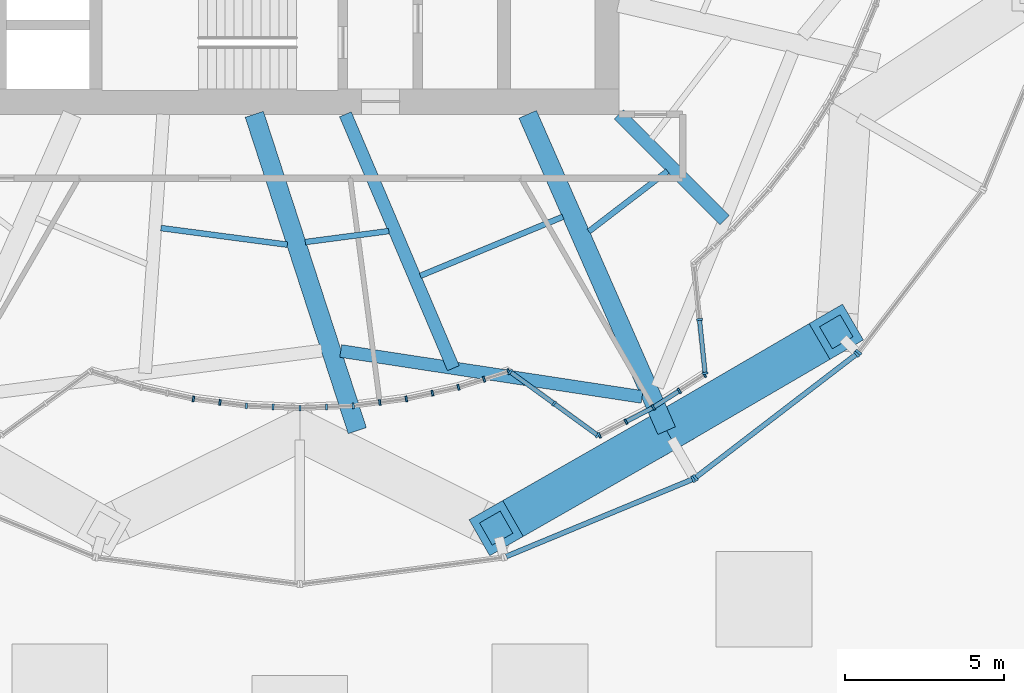
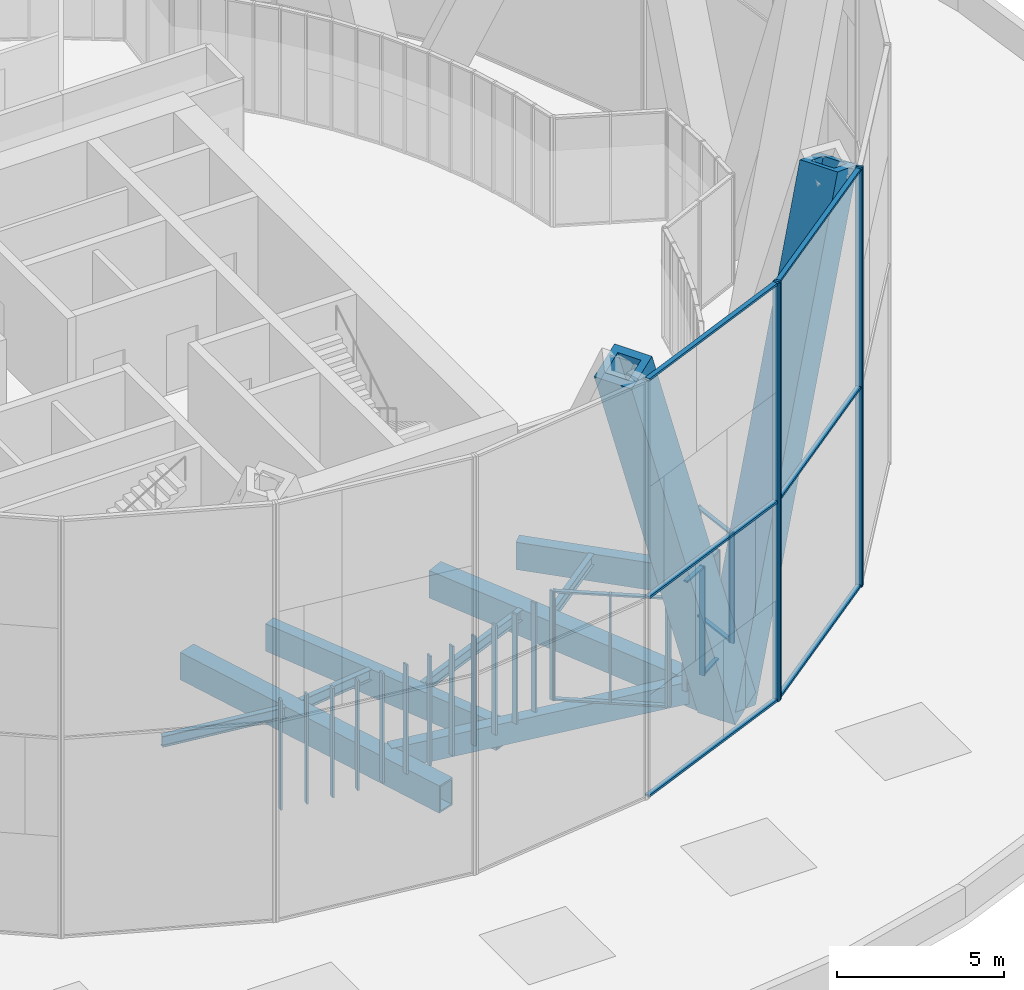
# One storey, part 3 of 27: 45 members, 9 beams, 14 elements without a shape of their own.
"""IFC4 building model written with IfcOpenShell, lengths in metres."""

from ifc_helpers import new_model, si_unit, direction, frame, origin, origin_2d, place, context, subcontext, project, spatial, rectangle, hollow_rectangle, i_section, extrude, material, material_profile, profile_set, type_object, element, aggregate, save


model = new_model("IFC4")

# Units and contexts
model_context = context("Model", 3, precision=1e-05, world=origin(), true_north=direction((0.0, 1.0)))
body_context = subcontext(model_context, "Body", "Model", "MODEL_VIEW")
ifc_project = project(units=[si_unit("LENGTHUNIT", "METRE"), si_unit("AREAUNIT", "SQUARE_METRE"), si_unit("VOLUMEUNIT", "CUBIC_METRE"), si_unit("PLANEANGLEUNIT", "RADIAN"), si_unit("MASSUNIT", "GRAM", prefix="KILO")], contexts=[model_context])

# Site, building, storey
site_placement = place(None, origin())
site = spatial("IfcSite", under=ifc_project, at=site_placement, CompositionType="ELEMENT")
building_placement = place(site_placement, origin())
building = spatial("IfcBuilding", under=site, at=building_placement, Name="Golbaran Civic Tower", CompositionType="ELEMENT")
storey_placement = place(building_placement, frame((0.0, 0.0, 21.0)))
storey = spatial("IfcBuildingStorey", under=building, at=storey_placement, Name="L04", CompositionType="ELEMENT", Elevation=21.0)

# Members
ifc_material_1 = material(Name="Steel S355", Category="steel")
ifc_material_profile_1 = material_profile(ifc_material_1, hollow_rectangle(XDim=1.300048828125, YDim=1.300048828125, WallThickness=0.25, at=origin_2d()), Name="BOX 1300x1300x250")
ifc_profile_set_1 = profile_set([ifc_material_profile_1], Name="Steel S355")
member_type_1 = type_object("IfcMemberType", Name="DIAGRID DIAGONAL BOX 1300x1300x250", PredefinedType="BRACE", material=ifc_profile_set_1)
member_1_placement = place(storey_placement, frame((11.5, -19.918701171875, -0.7099609375), z_axis=(0.310240999573, 0.180832692797, 0.933300626486), x_axis=(-0.503577568182, 0.86395001755, 0.0)))
element("IfcMember", 1, at=member_1_placement, inside=storey, type_object=member_type_1, Name="Diagonal D00-10R L04-L08", PredefinedType="BRACE", context=body_context, shape_type="SweptSolid", body=[
    extrude(hollow_rectangle(XDim=1.300048828125, YDim=1.300048828125, WallThickness=0.25, at=origin_2d()), origin(), (0.0, 0.0, 1.0), 17.1435546875),
])
member_2_placement = place(storey_placement, frame((11.5, -19.918701171875, -0.7099609375), z_axis=(-0.311722757157, -0.178255459424, 0.933302691444), x_axis=(0.496407983578, -0.868089346692, 0.0)))
element("IfcMember", 2, at=member_2_placement, inside=storey, type_object=member_type_1, Name="Diagonal D00-10L L04-L08", PredefinedType="BRACE", context=body_context, shape_type="SweptSolid", body=[
    extrude(hollow_rectangle(XDim=1.300048828125, YDim=1.300048828125, WallThickness=0.25, at=origin_2d()), origin(), (0.0, 0.0, 1.0), 17.143310546875),
])

# Beams
ifc_material_profile_2 = material_profile(ifc_material_1, hollow_rectangle(XDim=0.39990234375, YDim=0.800048828125, WallThickness=0.0400390625, at=origin_2d()), Name="BOX 800x400x40")
ifc_profile_set_2 = profile_set([ifc_material_profile_2], Name="Steel S355")
beam_type_1 = type_object("IfcBeamType", Name="EDGE BEAM BOX 800x400x40", PredefinedType="BEAM", material=ifc_profile_set_2)
beam_1_placement = place(storey_placement, frame((1.28173828125, -17.421630859375, -0.60009765625), z_axis=(0.988578084124, -0.150709560382, 0.0), x_axis=(0.150709560382, 0.988578084124, 0.0)))
element("IfcBeam", 3, at=beam_1_placement, inside=storey, type_object=beam_type_1, Name="Edge beam 270.00 L04", PredefinedType="BEAM", context=body_context, shape_type="SweptSolid", body=[
    extrude(hollow_rectangle(XDim=0.39990234375, YDim=0.800048828125, WallThickness=0.0400390625, at=origin_2d()), origin(), (0.0, 0.0, 1.0), 9.5576171875),
])
ifc_material_profile_3 = material_profile(ifc_material_1, i_section(OverallWidth=0.179931640625, OverallDepth=0.39990234375, WebThickness=0.008544921875, FlangeThickness=0.013427734375, FilletRadius=0.02099609375, at=origin_2d()), Name="IPE 400")
ifc_profile_set_3 = profile_set([ifc_material_profile_3], Name="Steel S355")
beam_type_2 = type_object("IfcBeamType", Name="FLOOR INFILL BEAM IPE 400", PredefinedType="BEAM", material=ifc_profile_set_3)
beam_2_placement = place(storey_placement, frame((-4.35546875, -13.566650390625, -0.39990234375), z_axis=(0.991445770235, -0.130519288548, 0.0), x_axis=(0.130519288548, 0.991445770235, 0.0)))
element("IfcBeam", 4, at=beam_2_placement, inside=storey, type_object=beam_type_2, Name="Infill beam 262.50 L04", PredefinedType="BEAM", context=body_context, shape_type="SweptSolid", body=[
    extrude(i_section(OverallWidth=0.179931640625, OverallDepth=0.39990234375, WebThickness=0.008544921875, FlangeThickness=0.013427734375, FilletRadius=0.02099609375, at=origin_2d()), origin(), (0.0, 0.0, 1.0), 3.997314453125),
])
beam_3_placement = place(storey_placement, frame((0.169921875, -14.006103515625, -0.39990234375), z_axis=(0.991450835379, 0.130480807117, 0.0), x_axis=(-0.130480807117, 0.991450835379, 0.0)))
element("IfcBeam", 5, at=beam_3_placement, inside=storey, type_object=beam_type_2, Name="Infill beam 277.50 L04", PredefinedType="BEAM", context=body_context, shape_type="SweptSolid", body=[
    extrude(i_section(OverallWidth=0.179931640625, OverallDepth=0.39990234375, WebThickness=0.008544921875, FlangeThickness=0.013427734375, FilletRadius=0.02099609375, at=origin_2d()), origin(), (0.0, 0.0, 1.0), 2.64208984375),
])
beam_4_placement = place(storey_placement, frame((3.777099609375, -15.064453125, -0.39990234375), z_axis=(0.923877877031, 0.382687429024, 0.0), x_axis=(-0.382687429024, 0.923877877031, 0.0)))
element("IfcBeam", 6, at=beam_4_placement, inside=storey, type_object=beam_type_2, Name="Infill beam 292.50 L04", PredefinedType="BEAM", context=body_context, shape_type="SweptSolid", body=[
    extrude(i_section(OverallWidth=0.179931640625, OverallDepth=0.39990234375, WebThickness=0.008544921875, FlangeThickness=0.013427734375, FilletRadius=0.02099609375, at=origin_2d()), origin(), (0.0, 0.0, 1.0), 4.839599609375),
])
beam_5_placement = place(storey_placement, frame((9.06201171875, -13.672607421875, -0.39990234375), z_axis=(0.7933508078, 0.608764729401, 0.0), x_axis=(-0.608764729401, 0.7933508078, 0.0)))
element("IfcBeam", 7, at=beam_5_placement, inside=storey, type_object=beam_type_2, Name="Infill beam 307.50 L04", PredefinedType="BEAM", context=body_context, shape_type="SweptSolid", body=[
    extrude(i_section(OverallWidth=0.179931640625, OverallDepth=0.39990234375, WebThickness=0.008544921875, FlangeThickness=0.013427734375, FilletRadius=0.02099609375, at=origin_2d()), origin(), (0.0, 0.0, 1.0), 3.10693359375),
])

# Curtain wall, member
ifc_material_2 = material(Name="Aluminium and glass", Category="aluminium")
curtain_wall_type_1 = type_object("IfcCurtainWallType", Name="INNER SKIN CURTAIN WALL", PredefinedType="NOTDEFINED", material=ifc_material_2)
curtain_wall_1_placement = place(storey_placement, origin())
curtain_wall_1 = element("IfcCurtainWall", 8, at=curtain_wall_1_placement, inside=storey, type_object=curtain_wall_type_1, Name="Inner skin L04 facet 52 CW1", ObjectType="INNER SKIN", PredefinedType="USERDEFINED")
ifc_material_3 = material(Name="Aluminium", Category="aluminium")
ifc_material_profile_4 = material_profile(ifc_material_3, rectangle(XDim=0.179931640625, YDim=0.06494140625, at=origin_2d()), Name="INNER SKIN CURTAIN WALL MULLION")
ifc_profile_set_4 = profile_set([ifc_material_profile_4], Name="Aluminium")
member_type_2 = type_object("IfcMemberType", Name="INNER SKIN CURTAIN WALL MULLION", PredefinedType="MULLION", material=ifc_profile_set_4)
member_3_placement = place(storey_placement, frame((-3.336669921875, -18.923095703125, 0.0), z_axis=(0.0, 0.0, 1.0), x_axis=(0.173648177684, 0.984807753009, 0.0)))
member_3 = element("IfcMember", 9, at=member_3_placement, type_object=member_type_2, Name="CW1 mullion 3", PredefinedType="MULLION", context=body_context, shape_type="SweptSolid", body=[
    extrude(rectangle(XDim=0.179931640625, YDim=0.06494140625, at=origin_2d()), origin(), (0.0, 0.0, 1.0), 4.0),
])
aggregate(curtain_wall_1, [member_3])

# Curtain wall, members
curtain_wall_2_placement = place(storey_placement, origin())
curtain_wall_2 = element("IfcCurtainWall", 10, at=curtain_wall_2_placement, inside=storey, type_object=curtain_wall_type_1, Name="Inner skin L04 facet 53 CW1", ObjectType="INNER SKIN", PredefinedType="USERDEFINED")
member_4_placement = place(storey_placement, frame((-2.505615234375, -19.032470703125, 0.0), z_axis=(0.0, 0.0, 1.0), x_axis=(0.130526192393, 0.991444861351, 0.0)))
member_4 = element("IfcMember", 11, at=member_4_placement, type_object=member_type_2, Name="CW1 mullion 2", PredefinedType="MULLION", context=body_context, shape_type="SweptSolid", body=[
    extrude(rectangle(XDim=0.179931640625, YDim=0.06494140625, at=origin_2d()), origin(), (0.0, 0.0, 1.0), 4.0),
])
member_5_placement = place(storey_placement, frame((-1.6748046875, -19.141845703125, 0.0), z_axis=(0.0, 0.0, 1.0), x_axis=(0.087155742782, 0.996194698089, 0.0)))
member_5 = element("IfcMember", 12, at=member_5_placement, type_object=member_type_2, Name="CW1 mullion 3", PredefinedType="MULLION", context=body_context, shape_type="SweptSolid", body=[
    extrude(rectangle(XDim=0.179931640625, YDim=0.06494140625, at=origin_2d()), origin(), (0.0, 0.0, 1.0), 4.0),
])
aggregate(curtain_wall_2, [member_4, member_5])

curtain_wall_3_placement = place(storey_placement, origin())
curtain_wall_3 = element("IfcCurtainWall", 13, at=curtain_wall_3_placement, inside=storey, type_object=curtain_wall_type_1, Name="Inner skin L04 facet 54 CW1", ObjectType="INNER SKIN", PredefinedType="USERDEFINED")
member_6_placement = place(storey_placement, frame((-0.83740234375, -19.178466796875, 0.0), z_axis=(0.0, 0.0, 1.0), x_axis=(0.043619387261, 0.999048221586, 0.0)))
member_6 = element("IfcMember", 14, at=member_6_placement, type_object=member_type_2, Name="CW1 mullion 2", PredefinedType="MULLION", context=body_context, shape_type="SweptSolid", body=[
    extrude(rectangle(XDim=0.179931640625, YDim=0.06494140625, at=origin_2d()), origin(), (0.0, 0.0, 1.0), 4.0),
])
member_7_placement = place(storey_placement, frame((0.0, -19.215087890625, 0.0), z_axis=(0.0, 0.0, 1.0), x_axis=(-5.2e-11, 1.0, 0.0)))
member_7 = element("IfcMember", 15, at=member_7_placement, type_object=member_type_2, Name="CW1 mullion 3", PredefinedType="MULLION", context=body_context, shape_type="SweptSolid", body=[
    extrude(rectangle(XDim=0.179931640625, YDim=0.06494140625, at=origin_2d()), origin(), (0.0, 0.0, 1.0), 4.0),
])
aggregate(curtain_wall_3, [member_6, member_7])

curtain_wall_4_placement = place(storey_placement, origin())
curtain_wall_4 = element("IfcCurtainWall", 16, at=curtain_wall_4_placement, inside=storey, type_object=curtain_wall_type_1, Name="Inner skin L04 facet 55 CW1", ObjectType="INNER SKIN", PredefinedType="USERDEFINED")
member_8_placement = place(storey_placement, frame((0.83740234375, -19.178466796875, 0.0), z_axis=(0.0, 0.0, 1.0), x_axis=(-0.043619387261, 0.999048221586, 0.0)))
member_8 = element("IfcMember", 17, at=member_8_placement, type_object=member_type_2, Name="CW1 mullion 2", PredefinedType="MULLION", context=body_context, shape_type="SweptSolid", body=[
    extrude(rectangle(XDim=0.179931640625, YDim=0.06494140625, at=origin_2d()), origin(), (0.0, 0.0, 1.0), 4.0),
])
member_9_placement = place(storey_placement, frame((1.6748046875, -19.141845703125, 0.0), z_axis=(0.0, 0.0, 1.0), x_axis=(-0.087155742748, 0.996194698092, 0.0)))
member_9 = element("IfcMember", 18, at=member_9_placement, type_object=member_type_2, Name="CW1 mullion 3", PredefinedType="MULLION", context=body_context, shape_type="SweptSolid", body=[
    extrude(rectangle(XDim=0.179931640625, YDim=0.06494140625, at=origin_2d()), origin(), (0.0, 0.0, 1.0), 4.0),
])
aggregate(curtain_wall_4, [member_8, member_9])

curtain_wall_5_placement = place(storey_placement, origin())
curtain_wall_5 = element("IfcCurtainWall", 19, at=curtain_wall_5_placement, inside=storey, type_object=curtain_wall_type_1, Name="Inner skin L04 facet 56 CW1", ObjectType="INNER SKIN", PredefinedType="USERDEFINED")
member_10_placement = place(storey_placement, frame((2.505615234375, -19.032470703125, 0.0), z_axis=(0.0, 0.0, 1.0), x_axis=(-0.130526192393, 0.991444861351, 0.0)))
member_10 = element("IfcMember", 20, at=member_10_placement, type_object=member_type_2, Name="CW1 mullion 2", PredefinedType="MULLION", context=body_context, shape_type="SweptSolid", body=[
    extrude(rectangle(XDim=0.179931640625, YDim=0.06494140625, at=origin_2d()), origin(), (0.0, 0.0, 1.0), 4.0),
])
member_11_placement = place(storey_placement, frame((3.336669921875, -18.923095703125, 0.0), z_axis=(0.0, 0.0, 1.0), x_axis=(-0.173648177718, 0.984807753003, 0.0)))
member_11 = element("IfcMember", 21, at=member_11_placement, type_object=member_type_2, Name="CW1 mullion 3", PredefinedType="MULLION", context=body_context, shape_type="SweptSolid", body=[
    extrude(rectangle(XDim=0.179931640625, YDim=0.06494140625, at=origin_2d()), origin(), (0.0, 0.0, 1.0), 4.0),
])
aggregate(curtain_wall_5, [member_10, member_11])

curtain_wall_6_placement = place(storey_placement, origin())
curtain_wall_6 = element("IfcCurtainWall", 22, at=curtain_wall_6_placement, inside=storey, type_object=curtain_wall_type_1, Name="Inner skin L04 facet 57 CW1", ObjectType="INNER SKIN", PredefinedType="USERDEFINED")
member_12_placement = place(storey_placement, frame((4.155029296875, -18.74169921875, 0.0), z_axis=(0.0, 0.0, 1.0), x_axis=(-0.216439613921, 0.976296007124, 0.0)))
member_12 = element("IfcMember", 23, at=member_12_placement, type_object=member_type_2, Name="CW1 mullion 2", PredefinedType="MULLION", context=body_context, shape_type="SweptSolid", body=[
    extrude(rectangle(XDim=0.179931640625, YDim=0.06494140625, at=origin_2d()), origin(), (0.0, 0.0, 1.0), 4.0),
])
member_13_placement = place(storey_placement, frame((4.97314453125, -18.560302734375, 0.0), z_axis=(0.0, 0.0, 1.0), x_axis=(-0.258819045086, 0.965925826294, 0.0)))
member_13 = element("IfcMember", 24, at=member_13_placement, type_object=member_type_2, Name="CW1 mullion 3", PredefinedType="MULLION", context=body_context, shape_type="SweptSolid", body=[
    extrude(rectangle(XDim=0.179931640625, YDim=0.06494140625, at=origin_2d()), origin(), (0.0, 0.0, 1.0), 4.0),
])
aggregate(curtain_wall_6, [member_12, member_13])

curtain_wall_7_placement = place(storey_placement, origin())
curtain_wall_7 = element("IfcCurtainWall", 25, at=curtain_wall_7_placement, inside=storey, type_object=curtain_wall_type_1, Name="Inner skin L04 facet 58 CW1", ObjectType="INNER SKIN", PredefinedType="USERDEFINED")
member_14_placement = place(storey_placement, frame((5.7724609375, -18.308349609375, 0.0), z_axis=(0.0, 0.0, 1.0), x_axis=(-0.300705799704, 0.953716950685, 0.0)))
member_14 = element("IfcMember", 26, at=member_14_placement, type_object=member_type_2, Name="CW1 mullion 2", PredefinedType="MULLION", context=body_context, shape_type="SweptSolid", body=[
    extrude(rectangle(XDim=0.179931640625, YDim=0.06494140625, at=origin_2d()), origin(), (0.0, 0.0, 1.0), 4.0),
])
member_15_placement = place(storey_placement, frame((6.541015625, -18.06591796875, 0.0), z_axis=(0.0, 0.0, 1.0), x_axis=(-0.300705799704, 0.953716950685, 0.0)))
member_15 = element("IfcMember", 27, at=member_15_placement, type_object=member_type_2, Name="CW1 mullion 3", PredefinedType="MULLION", context=body_context, shape_type="SweptSolid", body=[
    extrude(rectangle(XDim=0.179931640625, YDim=0.06494140625, at=origin_2d()), origin(), (0.0, 0.0, 1.0), 4.0),
])
aggregate(curtain_wall_7, [member_14, member_15])

curtain_wall_8_placement = place(storey_placement, origin())
curtain_wall_8 = element("IfcCurtainWall", 28, at=curtain_wall_8_placement, inside=storey, type_object=curtain_wall_type_1, Name="Inner skin L04 facet 59 CW1", ObjectType="INNER SKIN", PredefinedType="USERDEFINED")
member_16_placement = place(storey_placement, frame((6.59814453125, -18.0751953125, 0.0), z_axis=(0.0, 0.0, 1.0), x_axis=(0.587431163679, 0.809274136458, 0.0)))
member_16 = element("IfcMember", 29, at=member_16_placement, type_object=member_type_2, Name="CW1 mullion 1", PredefinedType="MULLION", context=body_context, shape_type="SweptSolid", body=[
    extrude(rectangle(XDim=0.179931640625, YDim=0.06494140625, at=origin_2d()), origin(), (0.0, 0.0, 1.0), 4.0),
])
member_17_placement = place(storey_placement, frame((7.968505859375, -19.070068359375, 0.0), z_axis=(0.0, 0.0, 1.0), x_axis=(0.587431163679, 0.809274136458, 0.0)))
member_17 = element("IfcMember", 30, at=member_17_placement, type_object=member_type_2, Name="CW1 mullion 2", PredefinedType="MULLION", context=body_context, shape_type="SweptSolid", body=[
    extrude(rectangle(XDim=0.179931640625, YDim=0.06494140625, at=origin_2d()), origin(), (0.0, 0.0, 1.0), 4.0),
])
member_18_placement = place(storey_placement, frame((9.3388671875, -20.064697265625, 0.0), z_axis=(0.0, 0.0, 1.0), x_axis=(0.587431163679, 0.809274136458, 0.0)))
member_18 = element("IfcMember", 31, at=member_18_placement, type_object=member_type_2, Name="CW1 mullion 3", PredefinedType="MULLION", context=body_context, shape_type="SweptSolid", body=[
    extrude(rectangle(XDim=0.179931640625, YDim=0.06494140625, at=origin_2d()), origin(), (0.0, 0.0, 1.0), 4.0),
])

curtain_wall_9_placement = place(storey_placement, origin())
curtain_wall_9 = element("IfcCurtainWall", 32, at=curtain_wall_9_placement, inside=storey, type_object=curtain_wall_type_1, Name="Inner skin L04 facet 60 CW1", ObjectType="INNER SKIN", PredefinedType="USERDEFINED")
member_19_placement = place(storey_placement, frame((9.39404296875, -20.06884765625, 0.0), z_axis=(0.0, 0.0, 1.0), x_axis=(-0.461748613251, 0.88701083317, 0.0)))
member_19 = element("IfcMember", 33, at=member_19_placement, type_object=member_type_2, Name="CW1 mullion 1", PredefinedType="MULLION", context=body_context, shape_type="SweptSolid", body=[
    extrude(rectangle(XDim=0.179931640625, YDim=0.06494140625, at=origin_2d()), origin(), (0.0, 0.0, 1.0), 4.0),
])
member_20_placement = place(storey_placement, frame((10.22265625, -19.637451171875, 0.0), z_axis=(0.0, 0.0, 1.0), x_axis=(-0.461748613251, 0.88701083317, 0.0)))
member_20 = element("IfcMember", 34, at=member_20_placement, type_object=member_type_2, Name="CW1 mullion 2", PredefinedType="MULLION", context=body_context, shape_type="SweptSolid", body=[
    extrude(rectangle(XDim=0.179931640625, YDim=0.06494140625, at=origin_2d()), origin(), (0.0, 0.0, 1.0), 4.0),
])
member_21_placement = place(storey_placement, frame((11.080078125, -19.191162109375, 0.0), z_axis=(0.0, 0.0, 1.0), x_axis=(-0.50000000003, 0.866025403767, 0.0)))
member_21 = element("IfcMember", 35, at=member_21_placement, type_object=member_type_2, Name="CW1 mullion 3", PredefinedType="MULLION", context=body_context, shape_type="SweptSolid", body=[
    extrude(rectangle(XDim=0.179931640625, YDim=0.06494140625, at=origin_2d()), origin(), (0.0, 0.0, 1.0), 4.0),
])

curtain_wall_10_placement = place(storey_placement, origin())
curtain_wall_10 = element("IfcCurtainWall", 36, at=curtain_wall_10_placement, inside=storey, type_object=curtain_wall_type_1, Name="Inner skin L04 facet 61 CW1", ObjectType="INNER SKIN", PredefinedType="USERDEFINED")
member_22_placement = place(storey_placement, frame((11.895263671875, -18.671875, 0.0), z_axis=(0.0, 0.0, 1.0), x_axis=(-0.53729960845, 0.843391445747, 0.0)))
member_22 = element("IfcMember", 37, at=member_22_placement, type_object=member_type_2, Name="CW1 mullion 2", PredefinedType="MULLION", context=body_context, shape_type="SweptSolid", body=[
    extrude(rectangle(XDim=0.179931640625, YDim=0.06494140625, at=origin_2d()), origin(), (0.0, 0.0, 1.0), 4.0),
])
member_23_placement = place(storey_placement, frame((12.68310546875, -18.169921875, 0.0), z_axis=(0.0, 0.0, 1.0), x_axis=(-0.53729960845, 0.843391445747, 0.0)))
member_23 = element("IfcMember", 38, at=member_23_placement, type_object=member_type_2, Name="CW1 mullion 3", PredefinedType="MULLION", context=body_context, shape_type="SweptSolid", body=[
    extrude(rectangle(XDim=0.179931640625, YDim=0.06494140625, at=origin_2d()), origin(), (0.0, 0.0, 1.0), 4.0),
])

curtain_wall_11_placement = place(storey_placement, origin())
curtain_wall_11 = element("IfcCurtainWall", 39, at=curtain_wall_11_placement, inside=storey, type_object=curtain_wall_type_1, Name="Inner skin L04 facet 62 CW1", ObjectType="INNER SKIN", PredefinedType="USERDEFINED")
member_24_placement = place(storey_placement, frame((12.70703125, -18.1201171875, 0.0), z_axis=(0.0, 0.0, 1.0), x_axis=(-0.994567542635, -0.104093242509, 0.0)))
member_24 = element("IfcMember", 40, at=member_24_placement, type_object=member_type_2, Name="CW1 mullion 1", PredefinedType="MULLION", context=body_context, shape_type="SweptSolid", body=[
    extrude(rectangle(XDim=0.179931640625, YDim=0.06494140625, at=origin_2d()), origin(), (0.0, 0.0, 1.0), 4.0),
])
member_25_placement = place(storey_placement, frame((12.53076171875, -16.43603515625, 0.0), z_axis=(0.0, 0.0, 1.0), x_axis=(-0.994567542635, -0.104093242509, 0.0)))
member_25 = element("IfcMember", 41, at=member_25_placement, type_object=member_type_2, Name="CW1 mullion 2", PredefinedType="MULLION", context=body_context, shape_type="SweptSolid", body=[
    extrude(rectangle(XDim=0.179931640625, YDim=0.06494140625, at=origin_2d()), origin(), (0.0, 0.0, 1.0), 4.0),
])

# Member
ifc_material_profile_5 = material_profile(ifc_material_3, rectangle(XDim=0.139892578125, YDim=0.06494140625, at=origin_2d()), Name="INNER SKIN CURTAIN WALL TRANSOM")
ifc_profile_set_5 = profile_set([ifc_material_profile_5], Name="Aluminium")
member_type_3 = type_object("IfcMemberType", Name="INNER SKIN CURTAIN WALL TRANSOM", PredefinedType="USERDEFINED", material=ifc_profile_set_5)
member_26_placement = place(storey_placement, frame((6.62451171875, -18.094482421875, 0.032470703125), z_axis=(0.809364550476, -0.587306584701, 0.0), x_axis=(0.587306584701, 0.809364550476, 0.0)))
member_26 = element("IfcMember", 42, at=member_26_placement, type_object=member_type_3, Name="CW1 transom 1.1", ObjectType="TRANSOM", PredefinedType="USERDEFINED", context=body_context, shape_type="SweptSolid", body=[
    extrude(rectangle(XDim=0.139892578125, YDim=0.06494140625, at=origin_2d()), origin(), (0.0, 0.0, 1.0), 1.628173828125),
])

member_27_placement = place(storey_placement, frame((6.62451171875, -18.094482421875, 3.967529296875), z_axis=(0.809364550476, -0.587306584701, 0.0), x_axis=(0.587306584701, 0.809364550476, 0.0)))
member_27 = element("IfcMember", 43, at=member_27_placement, type_object=member_type_3, Name="CW1 transom 1.2", ObjectType="TRANSOM", PredefinedType="USERDEFINED", context=body_context, shape_type="SweptSolid", body=[
    extrude(rectangle(XDim=0.139892578125, YDim=0.06494140625, at=origin_2d()), origin(), (0.0, 0.0, 1.0), 1.628173828125),
])

member_28_placement = place(storey_placement, frame((7.994873046875, -19.089111328125, 0.032470703125), z_axis=(0.809241538487, -0.58747606963, 0.0), x_axis=(0.58747606963, 0.809241538487, 0.0)))
member_28 = element("IfcMember", 44, at=member_28_placement, type_object=member_type_3, Name="CW1 transom 2.1", ObjectType="TRANSOM", PredefinedType="USERDEFINED", context=body_context, shape_type="SweptSolid", body=[
    extrude(rectangle(XDim=0.139892578125, YDim=0.06494140625, at=origin_2d()), origin(), (0.0, 0.0, 1.0), 1.628173828125),
])

member_29_placement = place(storey_placement, frame((7.994873046875, -19.089111328125, 3.967529296875), z_axis=(0.809241538487, -0.58747606963, 0.0), x_axis=(0.58747606963, 0.809241538487, 0.0)))
member_29 = element("IfcMember", 45, at=member_29_placement, type_object=member_type_3, Name="CW1 transom 2.2", ObjectType="TRANSOM", PredefinedType="USERDEFINED", context=body_context, shape_type="SweptSolid", body=[
    extrude(rectangle(XDim=0.139892578125, YDim=0.06494140625, at=origin_2d()), origin(), (0.0, 0.0, 1.0), 1.628173828125),
])

aggregate(curtain_wall_8, [member_16, member_17, member_18, member_26, member_27, member_28, member_29])

member_30_placement = place(storey_placement, frame((10.25146484375, -19.62255859375, 0.032470703125), z_axis=(0.886941812776, 0.461881176006, 0.0), x_axis=(-0.461881176006, 0.886941812776, 0.0)))
member_30 = element("IfcMember", 46, at=member_30_placement, type_object=member_type_3, Name="CW1 transom 2.1", ObjectType="TRANSOM", PredefinedType="USERDEFINED", context=body_context, shape_type="SweptSolid", body=[
    extrude(rectangle(XDim=0.139892578125, YDim=0.06494140625, at=origin_2d()), origin(), (0.0, 0.0, 1.0), 0.90185546875),
])

member_31_placement = place(storey_placement, frame((10.25146484375, -19.62255859375, 3.967529296875), z_axis=(0.886941812776, 0.461881176006, 0.0), x_axis=(-0.461881176006, 0.886941812776, 0.0)))
member_31 = element("IfcMember", 47, at=member_31_placement, type_object=member_type_3, Name="CW1 transom 2.2", ObjectType="TRANSOM", PredefinedType="USERDEFINED", context=body_context, shape_type="SweptSolid", body=[
    extrude(rectangle(XDim=0.139892578125, YDim=0.06494140625, at=origin_2d()), origin(), (0.0, 0.0, 1.0), 0.90185546875),
])

aggregate(curtain_wall_9, [member_19, member_20, member_21, member_30, member_31])

member_32_placement = place(storey_placement, frame((11.107421875, -19.173583984375, 0.032470703125), z_axis=(0.843449584092, 0.537208338632, 0.0), x_axis=(-0.537208338632, 0.843449584092, 0.0)))
member_32 = element("IfcMember", 48, at=member_32_placement, type_object=member_type_3, Name="CW1 transom 1.1", ObjectType="TRANSOM", PredefinedType="USERDEFINED", context=body_context, shape_type="SweptSolid", body=[
    extrude(rectangle(XDim=0.139892578125, YDim=0.06494140625, at=origin_2d()), origin(), (0.0, 0.0, 1.0), 0.901611328125),
])

member_33_placement = place(storey_placement, frame((11.107421875, -19.173583984375, 3.967529296875), z_axis=(0.843449584092, 0.537208338632, 0.0), x_axis=(-0.537208338632, 0.843449584092, 0.0)))
member_33 = element("IfcMember", 49, at=member_33_placement, type_object=member_type_3, Name="CW1 transom 1.2", ObjectType="TRANSOM", PredefinedType="USERDEFINED", context=body_context, shape_type="SweptSolid", body=[
    extrude(rectangle(XDim=0.139892578125, YDim=0.06494140625, at=origin_2d()), origin(), (0.0, 0.0, 1.0), 0.901611328125),
])

aggregate(curtain_wall_10, [member_22, member_23, member_32, member_33])

member_34_placement = place(storey_placement, frame((12.70361328125, -18.087646484375, 0.032470703125), z_axis=(-0.104060344305, 0.994570985271, 0.0), x_axis=(-0.994570985271, -0.104060344305, 0.0)))
member_34 = element("IfcMember", 50, at=member_34_placement, type_object=member_type_3, Name="CW1 transom 1.1", ObjectType="TRANSOM", PredefinedType="USERDEFINED", context=body_context, shape_type="SweptSolid", body=[
    extrude(rectangle(XDim=0.139892578125, YDim=0.06494140625, at=origin_2d()), origin(), (0.0, 0.0, 1.0), 1.628173828125),
])

member_35_placement = place(storey_placement, frame((12.70361328125, -18.087646484375, 3.967529296875), z_axis=(-0.104060344305, 0.994570985271, 0.0), x_axis=(-0.994570985271, -0.104060344305, 0.0)))
member_35 = element("IfcMember", 51, at=member_35_placement, type_object=member_type_3, Name="CW1 transom 1.2", ObjectType="TRANSOM", PredefinedType="USERDEFINED", context=body_context, shape_type="SweptSolid", body=[
    extrude(rectangle(XDim=0.139892578125, YDim=0.06494140625, at=origin_2d()), origin(), (0.0, 0.0, 1.0), 1.628173828125),
])

aggregate(curtain_wall_11, [member_24, member_25, member_34, member_35])

# Curtain wall, member
curtain_wall_type_2 = type_object("IfcCurtainWallType", Name="OUTER SKIN TERRACOTTA SCREEN", PredefinedType="NOTDEFINED", material=ifc_material_2)
curtain_wall_12_placement = place(storey_placement, origin())
curtain_wall_12 = element("IfcCurtainWall", 52, at=curtain_wall_12_placement, inside=storey, type_object=curtain_wall_type_2, Name="Outer skin L04 facet 20 CW3", ObjectType="OUTER SKIN", PredefinedType="USERDEFINED")
ifc_material_profile_6 = material_profile(ifc_material_3, rectangle(XDim=0.219970703125, YDim=0.080078125, at=origin_2d()), Name="OUTER SKIN TERRACOTTA SCREEN MULLION")
ifc_profile_set_6 = profile_set([ifc_material_profile_6], Name="Aluminium")
member_type_4 = type_object("IfcMemberType", Name="OUTER SKIN TERRACOTTA SCREEN MULLION", PredefinedType="MULLION", material=ifc_profile_set_6)
member_36_placement = place(storey_placement, frame((12.33056640625, -21.4365234375, 0.0), z_axis=(0.0, 0.0, 1.0), x_axis=(-0.382683432301, 0.923879532538, 0.0)))
member_36 = element("IfcMember", 53, at=member_36_placement, type_object=member_type_4, Name="CW3 mullion 2", PredefinedType="MULLION", context=body_context, shape_type="SweptSolid", body=[
    extrude(rectangle(XDim=0.219970703125, YDim=0.080078125, at=origin_2d()), origin(), (0.0, 0.0, 1.0), 15.2900390625),
])

# Curtain wall, members
curtain_wall_13_placement = place(storey_placement, origin())
curtain_wall_13 = element("IfcCurtainWall", 54, at=curtain_wall_13_placement, inside=storey, type_object=curtain_wall_type_2, Name="Outer skin L04 facet 21 CW3", ObjectType="OUTER SKIN", PredefinedType="USERDEFINED")
member_37_placement = place(storey_placement, frame((12.399169921875, -21.396728515625, 0.0), z_axis=(0.0, 0.0, 1.0), x_axis=(-0.608761428981, 0.793353340312, 0.0)))
member_37 = element("IfcMember", 55, at=member_37_placement, type_object=member_type_4, Name="CW3 mullion 1", PredefinedType="MULLION", context=body_context, shape_type="SweptSolid", body=[
    extrude(rectangle(XDim=0.219970703125, YDim=0.080078125, at=origin_2d()), origin(), (0.0, 0.0, 1.0), 15.2900390625),
])
member_38_placement = place(storey_placement, frame((17.45849609375, -17.5146484375, 0.0), z_axis=(0.0, 0.0, 1.0), x_axis=(-0.608761428981, 0.793353340312, 0.0)))
member_38 = element("IfcMember", 56, at=member_38_placement, type_object=member_type_4, Name="CW3 mullion 2", PredefinedType="MULLION", context=body_context, shape_type="SweptSolid", body=[
    extrude(rectangle(XDim=0.219970703125, YDim=0.080078125, at=origin_2d()), origin(), (0.0, 0.0, 1.0), 15.2900390625),
])

# Curtain wall, member
curtain_wall_14_placement = place(storey_placement, origin())
curtain_wall_14 = element("IfcCurtainWall", 57, at=curtain_wall_14_placement, inside=storey, type_object=curtain_wall_type_2, Name="Outer skin L04 facet 22 CW3", ObjectType="OUTER SKIN", PredefinedType="USERDEFINED")
member_39_placement = place(storey_placement, frame((17.5146484375, -17.45849609375, 0.0), z_axis=(0.0, 0.0, 1.0), x_axis=(-0.793353340312, 0.608761428981, 0.0)))
member_39 = element("IfcMember", 58, at=member_39_placement, type_object=member_type_4, Name="CW3 mullion 1", PredefinedType="MULLION", context=body_context, shape_type="SweptSolid", body=[
    extrude(rectangle(XDim=0.219970703125, YDim=0.080078125, at=origin_2d()), origin(), (0.0, 0.0, 1.0), 15.2900390625),
])
aggregate(curtain_wall_14, [member_39])

# Member
ifc_material_profile_7 = material_profile(ifc_material_3, rectangle(XDim=0.159912109375, YDim=0.080078125, at=origin_2d()), Name="OUTER SKIN TERRACOTTA SCREEN TRANSOM")
ifc_profile_set_7 = profile_set([ifc_material_profile_7], Name="Aluminium")
member_type_5 = type_object("IfcMemberType", Name="OUTER SKIN TERRACOTTA SCREEN TRANSOM", PredefinedType="USERDEFINED", material=ifc_profile_set_7)
member_40_placement = place(storey_placement, frame((6.475830078125, -23.861572265625, 0.0400390625), z_axis=(0.923875546328, 0.38269305572, 0.0), x_axis=(-0.38269305572, 0.923875546328, 0.0)))
member_40 = element("IfcMember", 59, at=member_40_placement, type_object=member_type_5, Name="CW3 transom 1.1", ObjectType="TRANSOM", PredefinedType="USERDEFINED", context=body_context, shape_type="SweptSolid", body=[
    extrude(rectangle(XDim=0.159912109375, YDim=0.080078125, at=origin_2d()), origin(), (0.0, 0.0, 1.0), 6.29736328125),
])

member_41_placement = place(storey_placement, frame((6.475830078125, -23.861572265625, 7.2900390625), z_axis=(0.923875546328, 0.38269305572, 0.0), x_axis=(-0.38269305572, 0.923875546328, 0.0)))
member_41 = element("IfcMember", 60, at=member_41_placement, type_object=member_type_5, Name="CW3 transom 1.2", ObjectType="TRANSOM", PredefinedType="USERDEFINED", context=body_context, shape_type="SweptSolid", body=[
    extrude(rectangle(XDim=0.159912109375, YDim=0.080078125, at=origin_2d()), origin(), (0.0, 0.0, 1.0), 6.29736328125),
])

member_42_placement = place(storey_placement, frame((6.475830078125, -23.861572265625, 15.25), z_axis=(0.923875546328, 0.38269305572, 0.0), x_axis=(-0.38269305572, 0.923875546328, 0.0)))
member_42 = element("IfcMember", 61, at=member_42_placement, type_object=member_type_5, Name="CW3 transom 1.3", ObjectType="TRANSOM", PredefinedType="USERDEFINED", context=body_context, shape_type="SweptSolid", body=[
    extrude(rectangle(XDim=0.159912109375, YDim=0.080078125, at=origin_2d()), origin(), (0.0, 0.0, 1.0), 6.29736328125),
])

aggregate(curtain_wall_12, [member_36, member_40, member_41, member_42])

member_43_placement = place(storey_placement, frame((12.430908203125, -21.37255859375, 0.0400390625), z_axis=(0.793349822983, 0.608766012827, 0.0), x_axis=(-0.608766012827, 0.793349822983, 0.0)))
member_43 = element("IfcMember", 62, at=member_43_placement, type_object=member_type_5, Name="CW3 transom 1.1", ObjectType="TRANSOM", PredefinedType="USERDEFINED", context=body_context, shape_type="SweptSolid", body=[
    extrude(rectangle(XDim=0.159912109375, YDim=0.080078125, at=origin_2d()), origin(), (0.0, 0.0, 1.0), 6.297119140625),
])

member_44_placement = place(storey_placement, frame((12.430908203125, -21.37255859375, 7.2900390625), z_axis=(0.793349822983, 0.608766012827, 0.0), x_axis=(-0.608766012827, 0.793349822983, 0.0)))
member_44 = element("IfcMember", 63, at=member_44_placement, type_object=member_type_5, Name="CW3 transom 1.2", ObjectType="TRANSOM", PredefinedType="USERDEFINED", context=body_context, shape_type="SweptSolid", body=[
    extrude(rectangle(XDim=0.159912109375, YDim=0.080078125, at=origin_2d()), origin(), (0.0, 0.0, 1.0), 6.297119140625),
])

member_45_placement = place(storey_placement, frame((12.430908203125, -21.37255859375, 15.25), z_axis=(0.793349822983, 0.608766012827, 0.0), x_axis=(-0.608766012827, 0.793349822983, 0.0)))
member_45 = element("IfcMember", 64, at=member_45_placement, type_object=member_type_5, Name="CW3 transom 1.3", ObjectType="TRANSOM", PredefinedType="USERDEFINED", context=body_context, shape_type="SweptSolid", body=[
    extrude(rectangle(XDim=0.159912109375, YDim=0.080078125, at=origin_2d()), origin(), (0.0, 0.0, 1.0), 6.297119140625),
])

aggregate(curtain_wall_13, [member_37, member_38, member_43, member_44, member_45])

# Beams
ifc_material_profile_8 = material_profile(ifc_material_1, hollow_rectangle(XDim=0.60009765625, YDim=1.0, WallThickness=0.06005859375, at=origin_2d()), Name="BOX 1000x600x60")
ifc_profile_set_8 = profile_set([ifc_material_profile_8], Name="Steel S355")
beam_type_3 = type_object("IfcBeamType", Name="RADIAL FLOOR BEAM BOX 1000x600x60", PredefinedType="BEAM", material=ifc_profile_set_8)
beam_6_placement = place(storey_placement, frame((-1.428466796875, -10.0, -0.7099609375), z_axis=(0.309514193441, -0.950894822816, 0.0), x_axis=(0.950894822816, 0.309514193441, 0.0)))
element("IfcBeam", 65, at=beam_6_placement, inside=storey, type_object=beam_type_3, Name="Radial beam 270.00 L04", PredefinedType="BEAM", context=body_context, shape_type="SweptSolid", body=[
    extrude(hollow_rectangle(XDim=0.60009765625, YDim=1.0, WallThickness=0.06005859375, at=origin_2d()), origin(), (0.0, 0.0, 1.0), 10.430908203125),
])
beam_7_placement = place(storey_placement, frame((7.142822265625, -10.0, -0.7099609375), z_axis=(0.402193277378, -0.9155547868, 0.0), x_axis=(0.9155547868, 0.402193277378, 0.0)))
element("IfcBeam", 66, at=beam_7_placement, inside=storey, type_object=beam_type_3, Name="Radial beam 300.00 L04", PredefinedType="BEAM", context=body_context, shape_type="SweptSolid", body=[
    extrude(hollow_rectangle(XDim=0.60009765625, YDim=1.0, WallThickness=0.06005859375, at=origin_2d()), origin(), (0.0, 0.0, 1.0), 10.83349609375),
])
ifc_material_profile_9 = material_profile(ifc_material_1, hollow_rectangle(XDim=0.39990234375, YDim=1.0, WallThickness=0.050048828125, at=origin_2d()), Name="BOX 1000x400x50")
ifc_profile_set_9 = profile_set([ifc_material_profile_9], Name="Steel S355")
beam_type_4 = type_object("IfcBeamType", Name="SECONDARY FLOOR BEAM BOX 1000x400x50", PredefinedType="BEAM", material=ifc_profile_set_9)
beam_8_placement = place(storey_placement, frame((1.428466796875, -10.0, -0.7099609375), z_axis=(0.391219535686, -0.920297383946, 0.0), x_axis=(0.920297383946, 0.391219535686, 0.0)))
element("IfcBeam", 67, at=beam_8_placement, inside=storey, type_object=beam_type_4, Name="Secondary beam 285.00 L04", PredefinedType="BEAM", context=body_context, shape_type="SweptSolid", body=[
    extrude(hollow_rectangle(XDim=0.39990234375, YDim=1.0, WallThickness=0.050048828125, at=origin_2d()), origin(), (0.0, 0.0, 1.0), 8.6494140625),
])
beam_9_placement = place(storey_placement, frame((10.0, -10.0, -0.7099609375), z_axis=(0.707106781187, -0.707106781187, 0.0), x_axis=(0.707106781187, 0.707106781187, 0.0)))
element("IfcBeam", 68, at=beam_9_placement, inside=storey, type_object=beam_type_4, Name="Secondary beam 315.00 L04", PredefinedType="BEAM", context=body_context, shape_type="SweptSolid", body=[
    extrude(hollow_rectangle(XDim=0.39990234375, YDim=1.0, WallThickness=0.050048828125, at=origin_2d()), origin(), (0.0, 0.0, 1.0), 4.69482421875),
])

save(model, "model.ifc")
